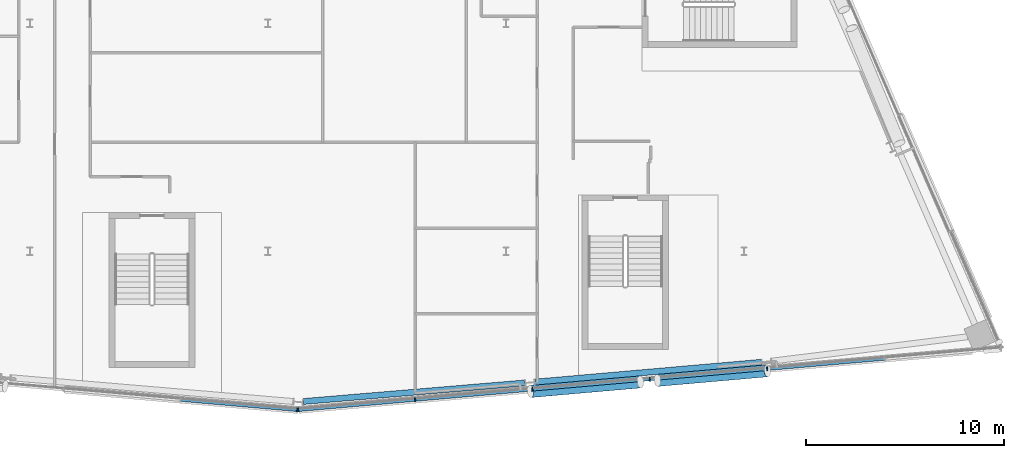
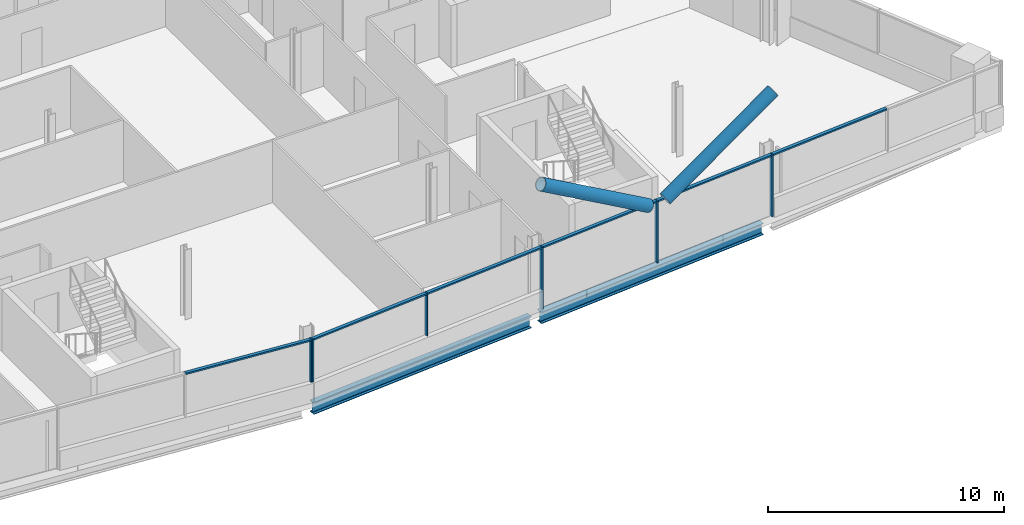
# One storey, part 8 of 27: 14 members, 2 beams, 2 elements without a shape of their own.
"""IFC4 building model written with IfcOpenShell, lengths in metres."""

from ifc_helpers import new_model, si_unit, direction, frame, origin, origin_2d, place, context, subcontext, project, spatial, rectangle, hollow_circle, i_section, extrude, material, material_profile, profile_set, type_object, element, aggregate, save


model = new_model("IFC4")

# Units and contexts
model_context = context("Model", 3, precision=1e-05, world=origin(), true_north=direction((0.0, 1.0)))
body_context = subcontext(model_context, "Body", "Model", "MODEL_VIEW")
ifc_project = project(units=[si_unit("LENGTHUNIT", "METRE"), si_unit("AREAUNIT", "SQUARE_METRE"), si_unit("VOLUMEUNIT", "CUBIC_METRE"), si_unit("PLANEANGLEUNIT", "RADIAN"), si_unit("MASSUNIT", "GRAM", prefix="KILO")], contexts=[model_context])

# Site, building, storey
site_placement = place(None, origin())
site = spatial("IfcSite", under=ifc_project, at=site_placement, CompositionType="ELEMENT")
building_placement = place(site_placement, origin())
building = spatial("IfcBuilding", under=site, at=building_placement, Name="Wharfspan Tower", CompositionType="ELEMENT")
storey_placement = place(building_placement, frame((0.0, 0.0, 221.5)))
storey = spatial("IfcBuildingStorey", under=building, at=storey_placement, Name="L55", CompositionType="ELEMENT", Elevation=221.5)

# Beams
ifc_material_1 = material(Name="Steel S355J2", Category="steel")
ifc_material_profile_1 = material_profile(ifc_material_1, i_section(OverallWidth=0.300049, OverallDepth=0.600098, WebThickness=0.015381, FlangeThickness=0.030029, FilletRadius=0.0271, at=origin_2d()))
ifc_profile_set_1 = profile_set([ifc_material_profile_1], Name="Steel S355J2")
beam_type = type_object("IfcBeamType", Name="Edge beam HEB 600", PredefinedType="SPANDREL", material=ifc_profile_set_1)
beam_1_placement = place(storey_placement, frame((49.783691, 3.923828, -0.699951), z_axis=(0.996517, 0.083395, 0.0), x_axis=(-0.083395, 0.996517, 0.0)))
element("IfcBeam", 1, at=beam_1_placement, inside=storey, type_object=beam_type, Name="Edge beam S2 L55 PS1.3 to PS2.1", PredefinedType="SPANDREL", context=body_context, shape_type="SweptSolid", body=[
    extrude(i_section(OverallWidth=0.300049, OverallDepth=0.600098, WebThickness=0.015381, FlangeThickness=0.030029, FilletRadius=0.0271, at=origin_2d()), origin(), (0.0, 0.0, 1.0), 11.200684),
])
beam_2_placement = place(storey_placement, frame((61.459473, 4.901855, -0.699951), z_axis=(0.996195, 0.087157, 0.0), x_axis=(-0.087157, 0.996195, 0.0)))
element("IfcBeam", 2, at=beam_2_placement, inside=storey, type_object=beam_type, Name="Edge beam S2 L55 PS2.1 to PS2.2", PredefinedType="SPANDREL", context=body_context, shape_type="SweptSolid", body=[
    extrude(i_section(OverallWidth=0.300049, OverallDepth=0.600098, WebThickness=0.015381, FlangeThickness=0.030029, FilletRadius=0.0271, at=origin_2d()), origin(), (0.0, 0.0, 1.0), 11.462402),
])

# Curtain wall, member
ifc_material_2 = material(Name="Aluminium 6063-T6", Category="aluminium")
curtain_wall_type = type_object("IfcCurtainWallType", Name="CURTAIN WALL FACETED FRONT", PredefinedType="NOTDEFINED", material=ifc_material_2)
curtain_wall_1_placement = place(storey_placement, origin())
curtain_wall_1 = element("IfcCurtainWall", 3, at=curtain_wall_1_placement, inside=storey, type_object=curtain_wall_type, Name="Curtain wall S1", PredefinedType="NOTDEFINED")
ifc_material_profile_2 = material_profile(ifc_material_2, rectangle(XDim=0.199951, YDim=0.060059, at=origin_2d()))
ifc_profile_set_2 = profile_set([ifc_material_profile_2], Name="Aluminium 6063-T6")
member_type_1 = type_object("IfcMemberType", Name="MULLION FACETED FRONT 60x200", PredefinedType="MULLION", material=ifc_profile_set_2)
member_1_placement = place(storey_placement, frame((49.470215, 3.496826, 1.0), z_axis=(0.0, 0.0, 1.0), x_axis=(0.087156, 0.996197, 0.0)))
member_1 = element("IfcMember", 4, at=member_1_placement, type_object=member_type_1, Name="Curtain wall S1 mullion 6", PredefinedType="MULLION", context=body_context, shape_type="SweptSolid", body=[
    extrude(rectangle(XDim=0.199951, YDim=0.060059, at=origin_2d()), origin(), (0.0, 0.0, 1.0), 2.199951),
])

# Curtain wall, members
curtain_wall_2_placement = place(storey_placement, origin())
curtain_wall_2 = element("IfcCurtainWall", 5, at=curtain_wall_2_placement, inside=storey, type_object=curtain_wall_type, Name="Curtain wall S2", PredefinedType="NOTDEFINED")
member_2_placement = place(storey_placement, frame((49.529785, 3.496826, 1.0), z_axis=(0.0, 0.0, 1.0), x_axis=(-0.087156, 0.996197, 0.0)))
member_2 = element("IfcMember", 6, at=member_2_placement, type_object=member_type_1, Name="Curtain wall S2 mullion 1", PredefinedType="MULLION", context=body_context, shape_type="SweptSolid", body=[
    extrude(rectangle(XDim=0.199951, YDim=0.060059, at=origin_2d()), origin(), (0.0, 0.0, 1.0), 2.199951),
])
member_3_placement = place(storey_placement, frame((55.416748, 4.011719, 1.0), z_axis=(0.0, 0.0, 1.0), x_axis=(-0.087156, 0.996197, 0.0)))
member_3 = element("IfcMember", 7, at=member_3_placement, type_object=member_type_1, Name="Curtain wall S2 mullion 2", PredefinedType="MULLION", context=body_context, shape_type="SweptSolid", body=[
    extrude(rectangle(XDim=0.199951, YDim=0.060059, at=origin_2d()), origin(), (0.0, 0.0, 1.0), 2.199951),
])
member_4_placement = place(storey_placement, frame((61.333252, 4.529541, 0.0), z_axis=(0.0, 0.0, 1.0), x_axis=(-0.087156, 0.996197, 0.0)))
member_4 = element("IfcMember", 8, at=member_4_placement, type_object=member_type_1, Name="Curtain wall S2 mullion 3", PredefinedType="MULLION", context=body_context, shape_type="SweptSolid", body=[
    extrude(rectangle(XDim=0.199951, YDim=0.060059, at=origin_2d()), origin(), (0.0, 0.0, 1.0), 3.199951),
])
member_5_placement = place(storey_placement, frame((67.25, 5.047119, 0.0), z_axis=(0.0, 0.0, 1.0), x_axis=(-0.087156, 0.996197, 0.0)))
member_5 = element("IfcMember", 9, at=member_5_placement, type_object=member_type_1, Name="Curtain wall S2 mullion 4", PredefinedType="MULLION", context=body_context, shape_type="SweptSolid", body=[
    extrude(rectangle(XDim=0.199951, YDim=0.060059, at=origin_2d()), origin(), (0.0, 0.0, 1.0), 3.199951),
])
member_6_placement = place(storey_placement, frame((73.166748, 5.564697, 0.0), z_axis=(0.0, 0.0, 1.0), x_axis=(-0.087156, 0.996197, 0.0)))
member_6 = element("IfcMember", 10, at=member_6_placement, type_object=member_type_1, Name="Curtain wall S2 mullion 5", PredefinedType="MULLION", context=body_context, shape_type="SweptSolid", body=[
    extrude(rectangle(XDim=0.199951, YDim=0.060059, at=origin_2d()), origin(), (0.0, 0.0, 1.0), 3.199951),
])

# Members
ifc_material_3 = material(Name="Steel S460NH", Category="steel")
ifc_material_profile_3 = material_profile(ifc_material_3, hollow_circle(Radius=0.304932, WallThickness=0.024902, at=origin_2d()))
ifc_profile_set_3 = profile_set([ifc_material_profile_3], Name="Steel S460NH")
member_type_2 = type_object("IfcMemberType", Name="Mega brace CHS 610x25", PredefinedType="BRACE", material=ifc_profile_set_3)
for number, where, z_axis, x_axis, name in (
    (11, (67.638428, 4.985596, 3.159424), (0.853829, 0.074698, 0.515166), (-0.087155, 0.996197, 3e-06), "Mega brace S2 L55 part 2"),
    (12, (66.778564, 4.9104, 3.159424), (-0.853829, -0.074698, 0.515166), (0.087155, -0.996197, 3e-06), "Mega brace S2 L55 part 4"),
):
    element("IfcMember", number, at=place(storey_placement, frame(where, z_axis=z_axis, x_axis=x_axis)), inside=storey, type_object=member_type_2, Name=name, PredefinedType="BRACE", context=body_context, shape_type="SweptSolid", body=[
        extrude(hollow_circle(Radius=0.304932, WallThickness=0.024902, at=origin_2d()), origin(), (0.0, 0.0, 1.0), 6.484375),
    ])

# Member
ifc_material_profile_4 = material_profile(ifc_material_2, rectangle(XDim=0.159912, YDim=0.080078, at=origin_2d()))
ifc_profile_set_4 = profile_set([ifc_material_profile_4], Name="Aluminium 6063-T6")
member_type_3 = type_object("IfcMemberType", Name="TRANSOM FACETED FRONT 80x160", PredefinedType="USERDEFINED", material=ifc_profile_set_4)
member_7_placement = place(storey_placement, frame((43.629883, 4.007812, 3.159912), z_axis=(0.996192, -0.087191, 0.0), x_axis=(0.087191, 0.996192, 0.0)))
member_7 = element("IfcMember", 13, at=member_7_placement, type_object=member_type_3, Name="Curtain wall S1 transom 5", ObjectType="TRANSOM", PredefinedType="USERDEFINED", context=body_context, shape_type="SweptSolid", body=[
    extrude(rectangle(XDim=0.159912, YDim=0.080078, at=origin_2d()), origin(), (0.0, 0.0, 1.0), 5.83252),
])

aggregate(curtain_wall_1, [member_1, member_7])

member_8_placement = place(storey_placement, frame((49.559814, 3.499268, 3.159912), z_axis=(0.996191, 0.087193, 0.0), x_axis=(-0.087193, 0.996191, 0.0)))
member_8 = element("IfcMember", 14, at=member_8_placement, type_object=member_type_3, Name="Curtain wall S2 transom 1", ObjectType="TRANSOM", PredefinedType="USERDEFINED", context=body_context, shape_type="SweptSolid", body=[
    extrude(rectangle(XDim=0.159912, YDim=0.080078, at=origin_2d()), origin(), (0.0, 0.0, 1.0), 5.849121),
])

member_9_placement = place(storey_placement, frame((55.446533, 4.014404, 3.159912), z_axis=(0.996194, 0.087162, 0.0), x_axis=(-0.087162, 0.996194, 0.0)))
member_9 = element("IfcMember", 15, at=member_9_placement, type_object=member_type_3, Name="Curtain wall S2 transom 2", ObjectType="TRANSOM", PredefinedType="USERDEFINED", context=body_context, shape_type="SweptSolid", body=[
    extrude(rectangle(XDim=0.159912, YDim=0.080078, at=origin_2d()), origin(), (0.0, 0.0, 1.0), 5.879395),
])

member_10_placement = place(storey_placement, frame((61.363281, 4.531982, 3.159912), z_axis=(0.996194, 0.087162, 0.0), x_axis=(-0.087162, 0.996194, 0.0)))
member_10 = element("IfcMember", 16, at=member_10_placement, type_object=member_type_3, Name="Curtain wall S2 transom 3", ObjectType="TRANSOM", PredefinedType="USERDEFINED", context=body_context, shape_type="SweptSolid", body=[
    extrude(rectangle(XDim=0.159912, YDim=0.080078, at=origin_2d()), origin(), (0.0, 0.0, 1.0), 5.879395),
])

member_11_placement = place(storey_placement, frame((67.279785, 5.049805, 3.159912), z_axis=(0.996198, 0.087121, 0.0), x_axis=(-0.087121, 0.996198, 0.0)))
member_11 = element("IfcMember", 17, at=member_11_placement, type_object=member_type_3, Name="Curtain wall S2 transom 4", ObjectType="TRANSOM", PredefinedType="USERDEFINED", context=body_context, shape_type="SweptSolid", body=[
    extrude(rectangle(XDim=0.159912, YDim=0.080078, at=origin_2d()), origin(), (0.0, 0.0, 1.0), 5.879395),
])

member_12_placement = place(storey_placement, frame((73.196533, 5.567383, 3.159912), z_axis=(0.996194, 0.087162, 0.0), x_axis=(-0.087162, 0.996194, 0.0)))
member_12 = element("IfcMember", 18, at=member_12_placement, type_object=member_type_3, Name="Curtain wall S2 transom 5", ObjectType="TRANSOM", PredefinedType="USERDEFINED", context=body_context, shape_type="SweptSolid", body=[
    extrude(rectangle(XDim=0.159912, YDim=0.080078, at=origin_2d()), origin(), (0.0, 0.0, 1.0), 5.879395),
])

aggregate(curtain_wall_2, [member_2, member_3, member_4, member_5, member_6, member_8, member_9, member_10, member_11, member_12])

save(model, "model.ifc")
